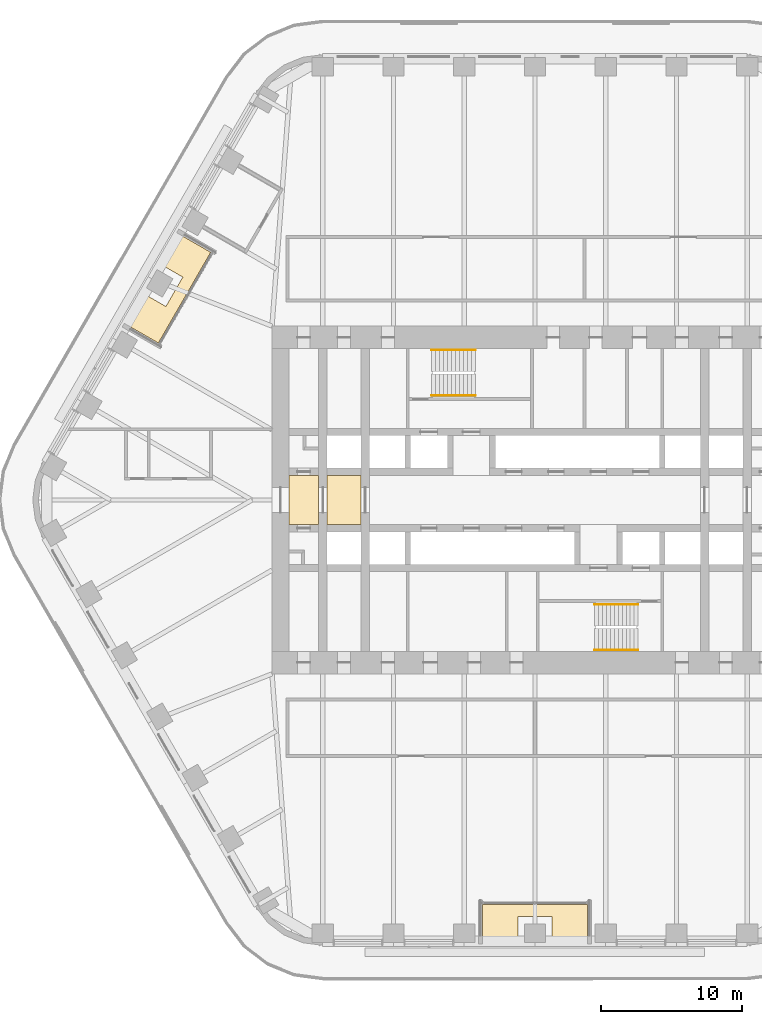
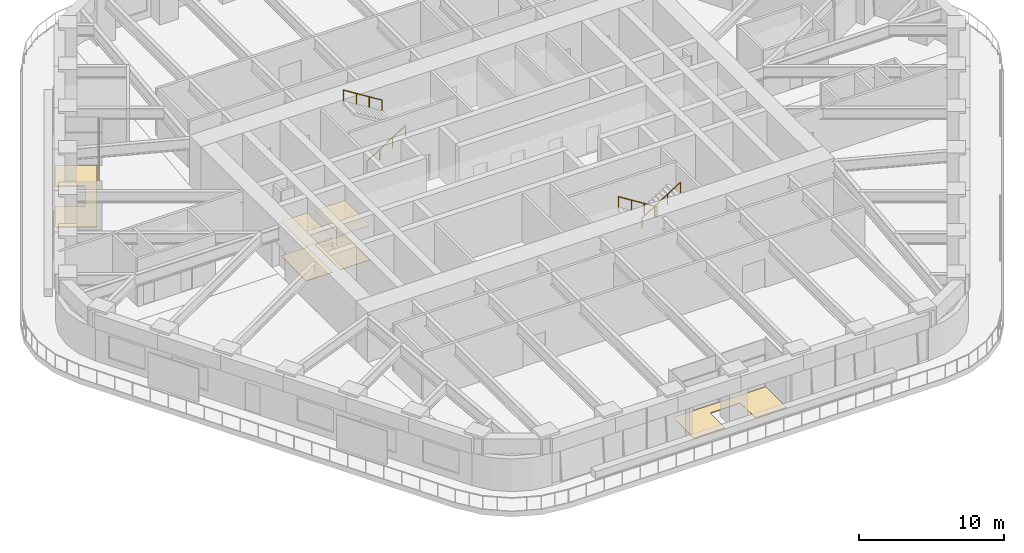
# One storey, part 22 of 24: 6 coverings, 4 railings.
"""IFC4 building model written with IfcOpenShell, lengths in metres."""

from ifc_helpers import new_model, si_unit, direction, frame, origin, origin_2d, place, context, subcontext, project, spatial, polyline, circle, outline, extrude, material, layer, layer_set, type_object, element, save


model = new_model("IFC4")

# Units and contexts
model_context = context("Model", 3, precision=1e-05, world=origin(), true_north=direction((0.0, 1.0)))
body_context = subcontext(model_context, "Body", "Model", "MODEL_VIEW")
ifc_project = project(units=[si_unit("LENGTHUNIT", "METRE"), si_unit("AREAUNIT", "SQUARE_METRE"), si_unit("VOLUMEUNIT", "CUBIC_METRE"), si_unit("PLANEANGLEUNIT", "RADIAN"), si_unit("MASSUNIT", "GRAM", prefix="KILO")], contexts=[model_context])

# Site, building, storey
site_placement = place(None, origin())
site = spatial("IfcSite", under=ifc_project, at=site_placement, CompositionType="ELEMENT")
building_placement = place(site_placement, origin())
building = spatial("IfcBuilding", under=site, at=building_placement, Name="Tarfa Lantern Tower", CompositionType="ELEMENT")
storey_placement = place(building_placement, frame((0.0, 0.0, 195.10009765625)))
storey = spatial("IfcBuildingStorey", under=building, at=storey_placement, Name="L44", CompositionType="ELEMENT", Elevation=195.10009765625)

# Coverings
ifc_material_1 = material(Name="Powder-coated aluminium panel", Category="aluminium")
ifc_layer_1 = layer(ifc_material_1, 0.030029296875)
ifc_layer_set_1 = layer_set([ifc_layer_1], Name="CL3 METAL PANEL CEILING 30")
covering_type_1 = type_object("IfcCoveringType", Name="CL3 METAL PANEL CEILING 30", PredefinedType="CEILING", material=ifc_layer_set_1)
covering_1_placement = place(storey_placement, frame((0.0, 0.0, 2.89990234375)))
element("IfcCovering", 1, at=covering_1_placement, inside=storey, type_object=covering_type_1, Name="Ceiling L44-01", PredefinedType="CEILING", context=body_context, shape_type="SweptSolid", body=[
    extrude(outline(polyline([(-17.39990234375, -1.75), (-15.300048828125, -1.75), (-15.300048828125, 1.75), (-17.39990234375, 1.75), (-17.39990234375, -1.75)])), origin(), (0.0, 0.0, 1.0), 0.030029296875),
])
covering_2_placement = place(storey_placement, frame((0.0, 0.0, 2.89990234375)))
element("IfcCovering", 2, at=covering_2_placement, inside=storey, type_object=covering_type_1, Name="Ceiling L44-02", PredefinedType="CEILING", context=body_context, shape_type="SweptSolid", body=[
    extrude(outline(polyline([(-14.699951171875, -1.75), (-12.300048828125, -1.75), (-12.300048828125, 1.75), (-14.699951171875, 1.75), (-14.699951171875, -1.75)])), origin(), (0.0, 0.0, 1.0), 0.030029296875),
])
ifc_material_2 = material(Name="Honed limestone flooring", Category="masonry")
ifc_layer_2 = layer(ifc_material_2, 0.030029296875)
ifc_layer_set_2 = layer_set([ifc_layer_2], Name="FL2 STONE FLOORING 30")
covering_type_2 = type_object("IfcCoveringType", Name="FL2 STONE FLOORING 30", PredefinedType="FLOORING", material=ifc_layer_set_2)
covering_3_placement = place(storey_placement, origin())
element("IfcCovering", 3, at=covering_3_placement, inside=storey, type_object=covering_type_2, Name="Floor finish L44-01", PredefinedType="FLOORING", context=body_context, shape_type="SweptSolid", body=[
    extrude(outline(polyline([(-17.39990234375, -1.75), (-15.300048828125, -1.75), (-15.300048828125, 1.75), (-17.39990234375, 1.75), (-17.39990234375, -1.75)])), origin(), (0.0, 0.0, 1.0), 0.02978515625),
])
covering_4_placement = place(storey_placement, origin())
element("IfcCovering", 4, at=covering_4_placement, inside=storey, type_object=covering_type_2, Name="Floor finish L44-02", PredefinedType="FLOORING", context=body_context, shape_type="SweptSolid", body=[
    extrude(outline(polyline([(-14.699951171875, -1.75), (-12.300048828125, -1.75), (-12.300048828125, 1.75), (-14.699951171875, 1.75), (-14.699951171875, -1.75)])), origin(), (0.0, 0.0, 1.0), 0.02978515625),
])

# Railings
ifc_material_3 = material(Name="Stainless steel", Category="steel")
railing_type = type_object("IfcRailingType", Name="HR1 HANDRAIL 900", PredefinedType="HANDRAIL", material=ifc_material_3)
railing_1_placement = place(storey_placement, frame((-7.300048828125, 7.3798828125, 0.1748046875)))
element("IfcRailing", 5, at=railing_1_placement, inside=storey, type_object=railing_type, Name="Handrail 1", PredefinedType="HANDRAIL", context=body_context, shape_type="SweptSolid", body=[
    extrude(circle(Radius=0.02392578125, at=origin_2d()), frame((0.0, 0.0, 0.8759765625), z_axis=(0.847998304005, 0.0, 0.529998940003), x_axis=(0.0, 1.0, 0.0)), (0.0, 0.0, 1.0), 3.632080078125),
    extrude(circle(Radius=0.02099609375, at=origin_2d()), frame((0.0, 0.0, 0.0), z_axis=(0.0, 0.0, 1.0), x_axis=(0.0, 1.0, 0.0)), (0.0, 0.0, 1.0), 0.851806640625),
    extrude(circle(Radius=0.02099609375, at=origin_2d()), frame((1.026611328125, 0.0, 0.6416015625), z_axis=(0.0, 0.0, 1.0), x_axis=(0.0, 1.0, 0.0)), (0.0, 0.0, 1.0), 0.851806640625),
    extrude(circle(Radius=0.02099609375, at=origin_2d()), frame((2.053466796875, 0.0, 1.283447265625), z_axis=(0.0, 0.0, 1.0), x_axis=(0.0, 1.0, 0.0)), (0.0, 0.0, 1.0), 0.851806640625),
    extrude(circle(Radius=0.02099609375, at=origin_2d()), frame((3.080078125, 0.0, 1.925048828125), z_axis=(0.0, 0.0, 1.0), x_axis=(0.0, 1.0, 0.0)), (0.0, 0.0, 1.0), 0.851806640625),
])
for number, where, name in (
    (6, (-4.219970703125, 10.6201171875, 2.27490234375), "Handrail 2"),
    (7, (7.300048828125, -7.3798828125, 0.1748046875), "Handrail 1"),
):
    element("IfcRailing", number, at=place(storey_placement, frame(where)), inside=storey, type_object=railing_type, Name=name, PredefinedType="HANDRAIL", context=body_context, shape_type="SweptSolid", body=[
        extrude(circle(Radius=0.02392578125, at=origin_2d()), frame((0.0, 0.0, 0.8759765625), z_axis=(-0.847998304005, 0.0, 0.529998940003), x_axis=(0.0, -1.0, 0.0)), (0.0, 0.0, 1.0), 3.632080078125),
        extrude(circle(Radius=0.02099609375, at=origin_2d()), frame((0.0, 0.0, 0.0), z_axis=(0.0, 0.0, 1.0), x_axis=(0.0, -1.0, 0.0)), (0.0, 0.0, 1.0), 0.851806640625),
        extrude(circle(Radius=0.02099609375, at=origin_2d()), frame((-1.026611328125, 0.0, 0.6416015625), z_axis=(0.0, 0.0, 1.0), x_axis=(0.0, -1.0, 0.0)), (0.0, 0.0, 1.0), 0.851806640625),
        extrude(circle(Radius=0.02099609375, at=origin_2d()), frame((-2.053466796875, 0.0, 1.283447265625), z_axis=(0.0, 0.0, 1.0), x_axis=(0.0, -1.0, 0.0)), (0.0, 0.0, 1.0), 0.851806640625),
        extrude(circle(Radius=0.02099609375, at=origin_2d()), frame((-3.080078125, 0.0, 1.925048828125), z_axis=(0.0, 0.0, 1.0), x_axis=(0.0, -1.0, 0.0)), (0.0, 0.0, 1.0), 0.851806640625),
    ])
railing_2_placement = place(storey_placement, frame((4.219970703125, -10.6201171875, 2.27490234375)))
element("IfcRailing", 8, at=railing_2_placement, inside=storey, type_object=railing_type, Name="Handrail 2", PredefinedType="HANDRAIL", context=body_context, shape_type="SweptSolid", body=[
    extrude(circle(Radius=0.02392578125, at=origin_2d()), frame((0.0, 0.0, 0.8759765625), z_axis=(0.847998304005, 0.0, 0.529998940003), x_axis=(0.0, 1.0, 0.0)), (0.0, 0.0, 1.0), 3.632080078125),
    extrude(circle(Radius=0.02099609375, at=origin_2d()), frame((0.0, 0.0, 0.0), z_axis=(0.0, 0.0, 1.0), x_axis=(0.0, 1.0, 0.0)), (0.0, 0.0, 1.0), 0.851806640625),
    extrude(circle(Radius=0.02099609375, at=origin_2d()), frame((1.026611328125, 0.0, 0.6416015625), z_axis=(0.0, 0.0, 1.0), x_axis=(0.0, 1.0, 0.0)), (0.0, 0.0, 1.0), 0.851806640625),
    extrude(circle(Radius=0.02099609375, at=origin_2d()), frame((2.053466796875, 0.0, 1.283447265625), z_axis=(0.0, 0.0, 1.0), x_axis=(0.0, 1.0, 0.0)), (0.0, 0.0, 1.0), 0.851806640625),
    extrude(circle(Radius=0.02099609375, at=origin_2d()), frame((3.080078125, 0.0, 1.925048828125), z_axis=(0.0, 0.0, 1.0), x_axis=(0.0, 1.0, 0.0)), (0.0, 0.0, 1.0), 0.851806640625),
])

# Coverings
ifc_material_4 = material(Name="Porcelain pavers on pedestals", Category="ceramic")
ifc_layer_3 = layer(ifc_material_4, 0.0400390625)
ifc_layer_set_3 = layer_set([ifc_layer_3], Name="LP1 LOGGIA PAVING 40")
covering_type_3 = type_object("IfcCoveringType", Name="LP1 LOGGIA PAVING 40", PredefinedType="FLOORING", material=ifc_layer_set_3)
covering_5_placement = place(storey_placement, origin())
element("IfcCovering", 9, at=covering_5_placement, inside=storey, type_object=covering_type_3, Name="Loggia paving NW", PredefinedType="FLOORING", context=body_context, shape_type="SweptSolid", body=[
    extrude(outline(polyline([(-25.427978515625, 18.95751953125), (-22.933837890625, 17.517578125), (-26.637451171875, 11.1025390625), (-29.131591796875, 12.54248046875), (-27.8798828125, 14.710693359375), (-26.1044921875, 13.685791015625), (-24.904541015625, 15.76416015625), (-26.6796875, 16.789306640625), (-25.427978515625, 18.95751953125)])), origin(), (0.0, 0.0, 1.0), 0.039794921875),
])
covering_6_placement = place(storey_placement, origin())
element("IfcCovering", 10, at=covering_6_placement, inside=storey, type_object=covering_type_3, Name="Loggia paving S", PredefinedType="FLOORING", context=body_context, shape_type="SweptSolid", body=[
    extrude(outline(polyline([(-3.70361328125, -31.5), (-3.70361328125, -28.6201171875), (3.70361328125, -28.6201171875), (3.70361328125, -31.5), (1.199951171875, -31.5), (1.199951171875, -29.449951171875), (-1.199951171875, -29.449951171875), (-1.199951171875, -31.5), (-3.70361328125, -31.5)])), origin(), (0.0, 0.0, 1.0), 0.039794921875),
])

save(model, "model.ifc")
